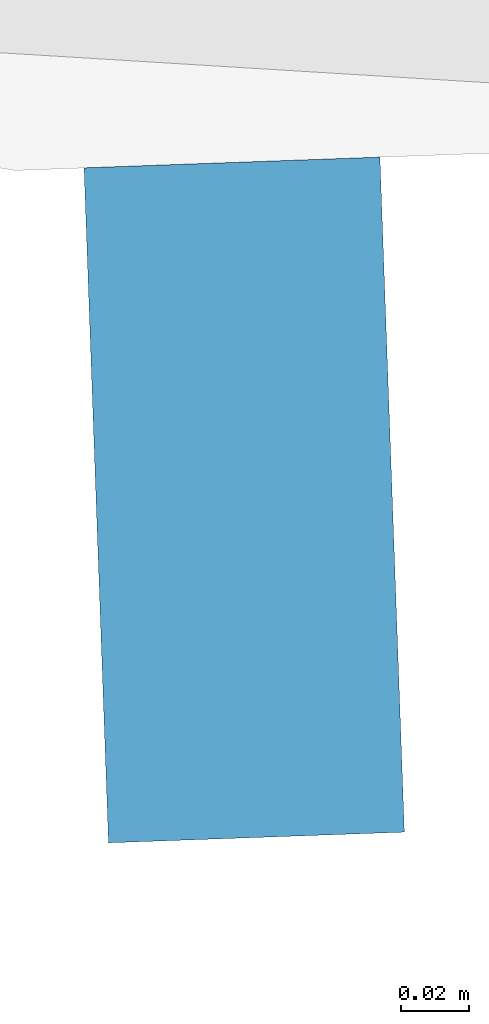
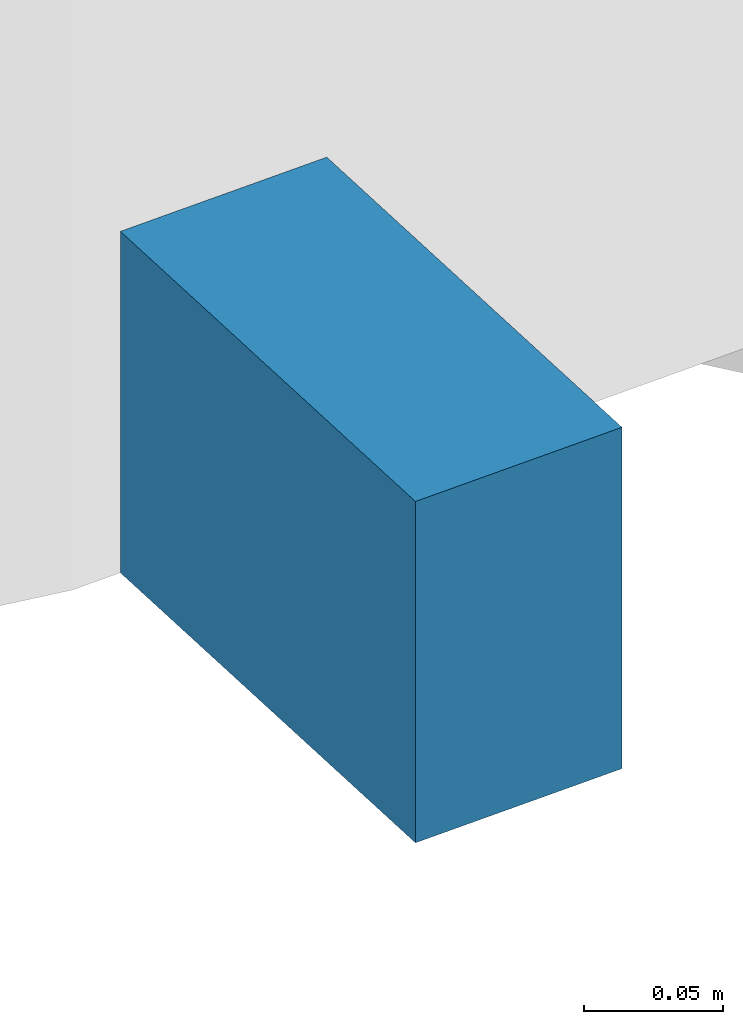
# One storey, part 19 of 39: 1 member, 1 element without a shape of its own.
"""IFC4 building model written with IfcOpenShell, lengths in metres."""

import ifcopenshell
import ifcopenshell.guid

model = None  # the IFC model being written
_history = None  # IfcOwnerHistory: only IFC2X3 demands one
_inside = {}  # id of a spatial element -> (the spatial element, [elements in it])
_under = {}  # id of a project, library or spatial element -> (it, [spatial elements below it])
_declared = {}  # id of a project -> (the project, [libraries it declares])
_typed = {}  # id of a type object -> (the type object, [elements of that type])
_made_of = {}  # id of a material, layer set ... -> (it, [elements and type objects made of it])


def new_model(schema):
    """Start an empty IFC model of exactly this schema.

    Asked for "IFC4X3", IfcOpenShell would pick the latest addendum, in which some entities
    have other attributes; the version numbers below select the first issue.
    IFC2X3 requires an IfcOwnerHistory on every rooted entity: one is made here for all.
    """
    global model, _history
    if schema == "IFC4X3":
        model = ifcopenshell.file(schema_version=(4, 3, 0, 0))
    else:
        model = ifcopenshell.file(schema=schema)
    _inside.clear()
    _under.clear()
    _declared.clear()
    _typed.clear()
    _made_of.clear()
    _history = None
    if model.schema == "IFC2X3":
        org = make("IfcOrganization", Name="unknown")
        user = make(
            "IfcPersonAndOrganization",
            ThePerson=make("IfcPerson", FamilyName="unknown"),
            TheOrganization=org,
        )
        app = make(
            "IfcApplication",
            ApplicationDeveloper=org,
            Version="unknown",
            ApplicationFullName="unknown",
            ApplicationIdentifier="unknown",
        )
        _history = make(
            "IfcOwnerHistory",
            OwningUser=user,
            OwningApplication=app,
            ChangeAction="ADDED",
            CreationDate=0,
        )
    return model


def make(cls, **values):
    """One entity of the class cls with the attributes given. An attribute that is None is left unset."""
    return model.create_entity(
        cls, **{name: value for name, value in values.items() if value is not None}
    )


def rooted(cls, **values):
    """An entity with a GlobalId (a new one), such as an element, a storey or a relation."""
    return make(cls, GlobalId=ifcopenshell.guid.new(), OwnerHistory=_history, **values)


def si_unit(unit_type, name, prefix=None):
    """IfcSIUnit, for example si_unit("LENGTHUNIT", "METRE", prefix="MILLI")."""
    return make("IfcSIUnit", UnitType=unit_type, Prefix=prefix, Name=name)


def assignment(units):
    """IfcUnitAssignment: the units of a project."""
    return None if units is None else make("IfcUnitAssignment", Units=units)


def point(xyz):
    """IfcCartesianPoint."""
    return None if xyz is None else make("IfcCartesianPoint", Coordinates=xyz)


def direction(xyz):
    """IfcDirection."""
    return None if xyz is None else make("IfcDirection", DirectionRatios=xyz)


def frame(location, z_axis=None, x_axis=None):
    """IfcAxis2Placement3D, a coordinate frame: its origin and axes. An axis left out is left unset."""
    return make(
        "IfcAxis2Placement3D",
        Location=point(location),
        Axis=direction(z_axis),
        RefDirection=direction(x_axis),
    )


def frame_2d(location, x_axis=None):
    """IfcAxis2Placement2D, a coordinate frame in the plane: its origin and x axis."""
    return make(
        "IfcAxis2Placement2D", Location=point(location), RefDirection=direction(x_axis)
    )


def origin():
    """The frame at (0, 0, 0) with its axes left unset."""
    return frame((0.0, 0.0, 0.0))


def origin_2d():
    """The frame at (0, 0) in the plane with its x axis left unset."""
    return frame_2d((0.0, 0.0))


def place(relative_to, where):
    """IfcLocalPlacement: puts the frame where relative to a parent placement (None: the world)."""
    return make(
        "IfcLocalPlacement", PlacementRelTo=relative_to, RelativePlacement=where
    )


def context(
    kind, dimensions, precision=None, world=None, true_north=None, identifier=None
):
    """IfcGeometricRepresentationContext, for example the 3D "Model" context."""
    return make(
        "IfcGeometricRepresentationContext",
        ContextIdentifier=identifier,
        ContextType=kind,
        CoordinateSpaceDimension=dimensions,
        Precision=precision,
        WorldCoordinateSystem=world,
        TrueNorth=true_north,
    )


def subcontext(parent, identifier, kind, view, scale=None):
    """IfcGeometricRepresentationSubContext, for example "Body" below "Model"."""
    return make(
        "IfcGeometricRepresentationSubContext",
        ContextIdentifier=identifier,
        ContextType=kind,
        ParentContext=parent,
        TargetScale=scale,
        TargetView=view,
    )


def project(units=None, contexts=None):
    """IfcProject with its units and contexts."""
    return rooted(
        "IfcProject",
        Name="project",
        RepresentationContexts=contexts,
        UnitsInContext=assignment(units),
    )


def spatial(cls, under=None, at=None, **own):
    """A site, building, storey or space (cls), placed at a placement, below another one or the project."""
    s = rooted(cls, ObjectPlacement=at, **own)
    if under is not None:
        _under.setdefault(under.id(), (under, []))[1].append(s)
    return s


def profile(cls, at=None, kind="AREA", **sizes):
    """A parametric profile (cls). Its sizes go by their IFC names, for example OverallWidth=200.0."""
    return make(cls, ProfileType=kind, Position=at, **sizes)


def rectangle(**sizes):
    """IfcRectangleProfileDef."""
    return profile("IfcRectangleProfileDef", **sizes)


def extrude(swept, where, along, depth):
    """IfcExtrudedAreaSolid: the profile swept, set in the frame where, extruded along a direction by depth."""
    return make(
        "IfcExtrudedAreaSolid",
        SweptArea=swept,
        Position=where,
        ExtrudedDirection=direction(along),
        Depth=depth,
    )


def shape(context_of_items, identifier, shape_type, items):
    """IfcShapeRepresentation: the items that make up one representation, for example the "Body"."""
    return make(
        "IfcShapeRepresentation",
        ContextOfItems=context_of_items,
        RepresentationIdentifier=identifier,
        RepresentationType=shape_type,
        Items=items,
    )


def material(Name=None, Category=None):
    """IfcMaterial."""
    return make("IfcMaterial", Name=Name, Category=Category)


def material_profile(
    of_material, cross_section, Name=None, Category=None, Priority=None
):
    """IfcMaterialProfile: a cross section and its material."""
    return make(
        "IfcMaterialProfile",
        Name=Name,
        Material=of_material,
        Profile=cross_section,
        Priority=Priority,
        Category=Category,
    )


def profile_set(profiles, Name=None, composite=None):
    """IfcMaterialProfileSet."""
    return make(
        "IfcMaterialProfileSet",
        Name=Name,
        MaterialProfiles=profiles,
        CompositeProfile=composite,
    )


def made_of(thing, what):
    """Note that an element or type object is made of a material, layer set ...; save() writes the relation."""
    if what is not None:
        _made_of.setdefault(what.id(), (what, []))[1].append(thing)
    return thing


def type_object(cls, material=None, **own):
    """A type object (cls), such as IfcWallType, which elements share."""
    return made_of(rooted(cls, **own), material)


def element(
    cls,
    number,
    at=None,
    inside=None,
    cuts=None,
    type_object=None,
    material=None,
    context=None,
    identifier="Body",
    shape_type=None,
    held_by="IfcProductDefinitionShape",
    body=None,
    shapes=None,
    **own,
):
    """One element of the class cls, such as IfcWall. Its Tag is "e" and its number.

    at: its placement. inside: the storey or other place that contains it. cuts: it is an
    opening in that element (IfcRelVoidsElement). A single representation is given by context,
    identifier, shape_type and body (its items); several are given by shapes. held_by: the class
    of the entity that holds the representations. save() writes the other relations.
    """
    e = rooted(cls, Tag="e%d" % number, ObjectPlacement=at, **own)
    if body is not None:
        shapes = [shape(context, identifier, shape_type, body)]
    if shapes is not None:
        e.Representation = make(held_by, Representations=shapes)
    if inside is not None:
        _inside.setdefault(inside.id(), (inside, []))[1].append(e)
    if cuts is not None:
        rooted(
            "IfcRelVoidsElement", RelatingBuildingElement=cuts, RelatedOpeningElement=e
        )
    if type_object is not None:
        _typed.setdefault(type_object.id(), (type_object, []))[1].append(e)
    return made_of(e, material)


def aggregate(whole, parts):
    """IfcRelAggregates: a whole, such as a stair, and the parts it consists of."""
    return rooted("IfcRelAggregates", RelatingObject=whole, RelatedObjects=parts)


def save(model, path):
    """Write the relations noted so far, then the file.

    IfcRelAggregates (storeys below a building ...), IfcRelContainedInSpatialStructure (elements
    in a storey), IfcRelDefinesByType, IfcRelAssociatesMaterial and IfcRelDeclares: one each for
    every whole, place, type object, material and project.
    """
    for whole, parts in _under.values():
        aggregate(whole, parts)
    for where, things in _inside.values():
        rooted(
            "IfcRelContainedInSpatialStructure",
            RelatedElements=things,
            RelatingStructure=where,
        )
    for kind, things in _typed.values():
        rooted("IfcRelDefinesByType", RelatedObjects=things, RelatingType=kind)
    for what, things in _made_of.values():
        rooted("IfcRelAssociatesMaterial", RelatedObjects=things, RelatingMaterial=what)
    for by, libraries in _declared.values():
        rooted("IfcRelDeclares", RelatingContext=by, RelatedDefinitions=libraries)
    model.write(path)


model = new_model("IFC4")

# Units and contexts
model_context = context("Model", 3, precision=1e-05, world=origin(), true_north=direction((0.0, 1.0)))
body_context = subcontext(model_context, "Body", "Model", "MODEL_VIEW")
ifc_project = project(units=[si_unit("LENGTHUNIT", "METRE"), si_unit("AREAUNIT", "SQUARE_METRE"), si_unit("VOLUMEUNIT", "CUBIC_METRE"), si_unit("PLANEANGLEUNIT", "RADIAN"), si_unit("MASSUNIT", "GRAM", prefix="KILO")], contexts=[model_context])

# Site, building, storey
site_placement = place(None, origin())
site = spatial("IfcSite", under=ifc_project, at=site_placement, CompositionType="ELEMENT")
building_placement = place(site_placement, origin())
building = spatial("IfcBuilding", under=site, at=building_placement, Name="Orlundy Tower", CompositionType="ELEMENT")
storey_placement = place(building_placement, frame((0.0, 0.0, 141.199951171875)))
storey = spatial("IfcBuildingStorey", under=building, at=storey_placement, Name="L36", CompositionType="ELEMENT", Elevation=141.199951171875)

# Curtain wall, member
ifc_material_1 = material(Name="Aluminium bronze anodised", Category="aluminium")
curtain_wall_type = type_object("IfcCurtainWallType", Name="CW4 wall", PredefinedType="NOTDEFINED", material=ifc_material_1)
curtain_wall_placement = place(storey_placement, origin())
curtain_wall = element("IfcCurtainWall", 1, at=curtain_wall_placement, inside=storey, type_object=curtain_wall_type, Name="CW4 run 040", PredefinedType="NOTDEFINED")
ifc_material_2 = material(Name="Aluminium bronze anodised", Category="aluminium")
ifc_material_profile = material_profile(ifc_material_2, rectangle(XDim=0.199951171875, YDim=0.14990234375, at=origin_2d()), Name="CW4 transom 200x150")
ifc_profile_set = profile_set([ifc_material_profile], Name="Aluminium bronze anodised")
member_type = type_object("IfcMemberType", Name="CW4 transom 200x150", PredefinedType="USERDEFINED", material=ifc_profile_set)
member_placement = place(storey_placement, frame((46.28662109375, -27.805908203125, -0.375), z_axis=(-0.999345000521, -0.03618798052, 0.0), x_axis=(0.03618798052, -0.999345000521, 0.0)))
member = element("IfcMember", 2, at=member_placement, type_object=member_type, Name="CW4 transom", ObjectType="TRANSOM", PredefinedType="USERDEFINED", context=body_context, shape_type="SweptSolid", body=[
    extrude(rectangle(XDim=0.199951171875, YDim=0.14990234375, at=origin_2d()), origin(), (0.0, 0.0, 1.0), 0.087646484375),
])
aggregate(curtain_wall, [member])

save(model, "model.ifc")
